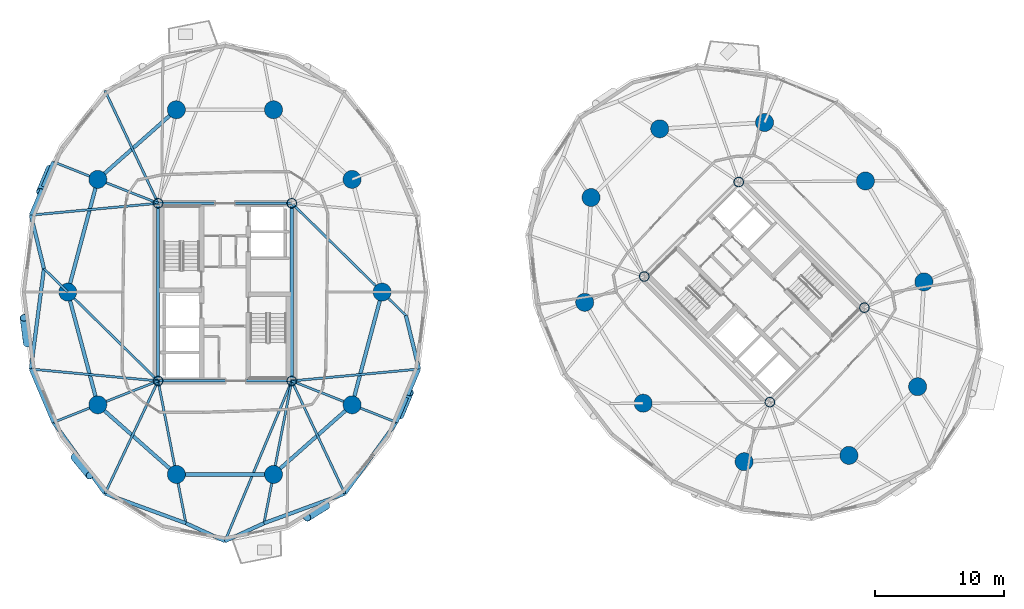
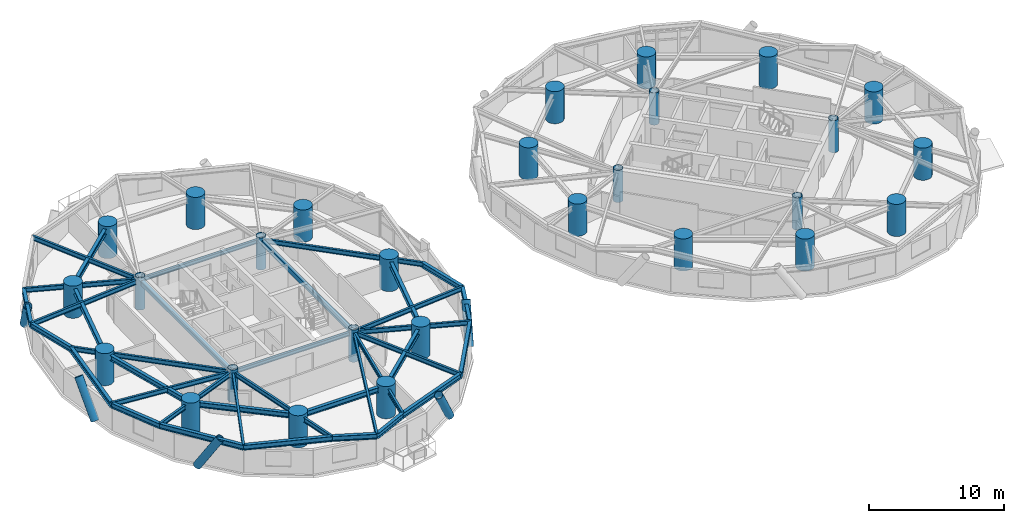
# One storey, part 1 of 17: 38 beams, 28 columns, 5 members.
"""IFC4 building model written with IfcOpenShell, lengths in metres."""

from ifc_helpers import new_model, si_unit, direction, frame, origin, origin_2d, place, context, subcontext, project, spatial, hollow_rectangle, circle, hollow_circle, i_section, extrude, material, material_profile, profile_set, type_object, element, save


model = new_model("IFC4")

# Units and contexts
model_context = context("Model", 3, precision=1e-05, world=origin(), true_north=direction((0.0, 1.0)))
body_context = subcontext(model_context, "Body", "Model", "MODEL_VIEW")
ifc_project = project(units=[si_unit("LENGTHUNIT", "METRE"), si_unit("AREAUNIT", "SQUARE_METRE"), si_unit("VOLUMEUNIT", "CUBIC_METRE"), si_unit("PLANEANGLEUNIT", "RADIAN"), si_unit("MASSUNIT", "GRAM", prefix="KILO")], contexts=[model_context])

# Site, building, storey
site_placement = place(None, origin())
site = spatial("IfcSite", under=ifc_project, at=site_placement, CompositionType="ELEMENT")
building_placement = place(site_placement, origin())
building = spatial("IfcBuilding", under=site, at=building_placement, Name="Cununo Teusaquillo Station Towers", CompositionType="ELEMENT")
storey_placement = place(building_placement, frame((0.0, 0.0, 70.14990234375)))
storey = spatial("IfcBuildingStorey", under=building, at=storey_placement, Name="L21", CompositionType="ELEMENT", Elevation=70.14990234375)

# Columns
ifc_material_1 = material(Name="Steel EN 10025-2 S355J2", Category="steel")
ifc_material_profile_1 = material_profile(ifc_material_1, hollow_circle(Radius=0.3798828125, WallThickness=0.031982421875, at=origin_2d()), Name="CHS 760x32")
ifc_profile_set_1 = profile_set([ifc_material_profile_1], Name="Steel EN 10025-2 S355J2")
column_type_1 = type_object("IfcColumnType", Name="COL-CORE-Z2", PredefinedType="COLUMN", material=ifc_profile_set_1)
for number, where, z_axis, x_axis, name in (
    (1, (11.324951171875, 17.6201171875, 0.0), (0.0, 0.0, 1.0), (1.0, 0.0, 0.0), "L21 Tower A Core Column 1"),
    (2, (11.324951171875, 31.3798828125, 0.0), (0.0, 0.0, 1.0), (1.0, 0.0, 0.0), "L21 Tower A Core Column 2"),
    (3, (21.675048828125, 17.6201171875, 0.0), (0.0, 0.0, 1.0), (1.0, 0.0, 0.0), "L21 Tower A Core Column 3"),
    (4, (21.675048828125, 31.3798828125, 0.0), (0.0, 0.0, 1.0), (1.0, 0.0, 0.0), "L21 Tower A Core Column 4"),
    (5, (58.70556640625, 15.975830078125, 0.0), (0.0, 0.0, 1.0), (0.707106781187, 0.707106781187, 0.0), "L21 Tower B Core Column 1"),
    (6, (48.975830078125, 25.70556640625, 0.0), (0.0, 0.0, 1.0), (0.707106781187, 0.707106781187, 0.0), "L21 Tower B Core Column 2"),
    (7, (66.024169921875, 23.29443359375, 0.0), (0.0, 0.0, 1.0), (0.707106781187, 0.707106781187, 0.0), "L21 Tower B Core Column 3"),
    (8, (56.29443359375, 33.024169921875, 0.0), (0.0, 0.0, 1.0), (0.707106781187, 0.707106781187, 0.0), "L21 Tower B Core Column 4"),
):
    element("IfcColumn", number, at=place(storey_placement, frame(where, z_axis=z_axis, x_axis=x_axis)), inside=storey, type_object=column_type_1, Name=name, PredefinedType="COLUMN", context=body_context, shape_type="SweptSolid", body=[
        extrude(hollow_circle(Radius=0.3798828125, WallThickness=0.031982421875, at=origin_2d()), origin(), (0.0, 0.0, 1.0), 2.91015625),
    ])
ifc_material_2 = material(Name="Concrete C60/75", Category="concrete")
ifc_material_profile_2 = material_profile(ifc_material_2, circle(Radius=0.699951171875, at=origin_2d()), Name="RC-CIRC-1400")
ifc_profile_set_2 = profile_set([ifc_material_profile_2], Name="Concrete C60/75")
column_type_2 = type_object("IfcColumnType", Name="COL-MEGA-Z2", PredefinedType="USERDEFINED", material=ifc_profile_set_2)
for number, where, z_axis, x_axis, name in (
    (9, (28.672119140625, 24.5, 0.0), (0.0, 0.0, 1.0), (1.0, 0.0, 0.0), "L21 Tower A Perimeter Column V00"),
    (10, (26.347412109375, 33.228515625, 0.0), (0.0, 0.0, 1.0), (1.0, 0.0, 0.0), "L21 Tower A Perimeter Column V02"),
    (11, (20.261474609375, 38.623291015625, 0.0), (0.0, 0.0, 1.0), (1.0, 0.0, 0.0), "L21 Tower A Perimeter Column V04"),
    (12, (12.738525390625, 38.623291015625, 0.0), (0.0, 0.0, 1.0), (1.0, 0.0, 0.0), "L21 Tower A Perimeter Column V06"),
    (13, (6.652587890625, 33.228515625, 0.0), (0.0, 0.0, 1.0), (1.0, 0.0, 0.0), "L21 Tower A Perimeter Column V08"),
    (14, (4.327880859375, 24.5, 0.0), (0.0, 0.0, 1.0), (1.0, 0.0, 0.0), "L21 Tower A Perimeter Column V10"),
    (15, (6.652587890625, 15.771484375, 0.0), (0.0, 0.0, 1.0), (1.0, 0.0, 0.0), "L21 Tower A Perimeter Column V12"),
    (16, (12.738525390625, 10.376708984375, 0.0), (0.0, 0.0, 1.0), (1.0, 0.0, 0.0), "L21 Tower A Perimeter Column V14"),
    (17, (20.261474609375, 10.376708984375, 0.0), (0.0, 0.0, 1.0), (1.0, 0.0, 0.0), "L21 Tower A Perimeter Column V16"),
    (18, (26.347412109375, 15.771484375, 0.0), (0.0, 0.0, 1.0), (1.0, 0.0, 0.0), "L21 Tower A Perimeter Column V18"),
    (19, (66.10693359375, 33.10693359375, 0.0), (0.0, 0.0, 1.0), (1.0, 0.0, 0.0), "L21 Tower B Perimeter Column V00"),
    (20, (58.291015625, 37.63525390625, 0.0), (0.0, 0.0, 1.0), (1.0, 0.0, 0.0), "L21 Tower B Perimeter Column V02"),
    (21, (50.173095703125, 37.146240234375, 0.0), (0.0, 0.0, 1.0), (1.0, 0.0, 0.0), "L21 Tower B Perimeter Column V04"),
    (22, (44.853759765625, 31.826904296875, 0.0), (0.0, 0.0, 1.0), (1.0, 0.0, 0.0), "L21 Tower B Perimeter Column V06"),
    (23, (44.36474609375, 23.708984375, 0.0), (0.0, 0.0, 1.0), (1.0, 0.0, 0.0), "L21 Tower B Perimeter Column V08"),
    (24, (48.89306640625, 15.89306640625, 0.0), (0.0, 0.0, 1.0), (1.0, 0.0, 0.0), "L21 Tower B Perimeter Column V10"),
    (25, (56.708984375, 11.36474609375, 0.0), (0.0, 0.0, 1.0), (1.0, 0.0, 0.0), "L21 Tower B Perimeter Column V12"),
    (26, (64.826904296875, 11.853759765625, 0.0), (0.0, 0.0, 1.0), (1.0, 0.0, 0.0), "L21 Tower B Perimeter Column V14"),
    (27, (70.146240234375, 17.173095703125, 0.0), (0.0, 0.0, 1.0), (1.0, 0.0, 0.0), "L21 Tower B Perimeter Column V16"),
    (28, (70.63525390625, 25.291015625, 0.0), (0.0, 0.0, 1.0), (1.0, 0.0, 0.0), "L21 Tower B Perimeter Column V18"),
):
    element("IfcColumn", number, at=place(storey_placement, frame(where, z_axis=z_axis, x_axis=x_axis)), inside=storey, type_object=column_type_2, Name=name, ObjectType="MEGA COLUMN", PredefinedType="USERDEFINED", context=body_context, shape_type="SweptSolid", body=[
        extrude(circle(Radius=0.699951171875, at=origin_2d()), origin(), (0.0, 0.0, 1.0), 2.91015625),
    ])

# Beams
ifc_material_3 = material(Name="Steel EN 10025-2 S355J2", Category="steel")
ifc_material_profile_3 = material_profile(ifc_material_3, hollow_rectangle(XDim=0.25, YDim=0.449951171875, WallThickness=0.01611328125, at=origin_2d()), Name="RHS 450x250x16")
ifc_profile_set_3 = profile_set([ifc_material_profile_3], Name="Steel EN 10025-2 S355J2")
beam_type_1 = type_object("IfcBeamType", Name="BM-COUP-1", PredefinedType="USERDEFINED", material=ifc_profile_set_3)
for number, where, z_axis, x_axis, name in (
    (29, (11.324951171875, 17.6201171875, 2.445068359375), (0.0, 1.0, 0.0), (-1.0, 0.0, 0.0), "L21 Tower A Core Beam 1"),
    (30, (21.675048828125, 17.6201171875, 2.445068359375), (0.0, 1.0, 0.0), (-1.0, 0.0, 0.0), "L21 Tower A Core Beam 2"),
):
    element("IfcBeam", number, at=place(storey_placement, frame(where, z_axis=z_axis, x_axis=x_axis)), inside=storey, type_object=beam_type_1, Name=name, ObjectType="COUPLING BEAM", PredefinedType="USERDEFINED", context=body_context, shape_type="SweptSolid", body=[
        extrude(hollow_rectangle(XDim=0.25, YDim=0.449951171875, WallThickness=0.01611328125, at=origin_2d()), origin(), (0.0, 0.0, 1.0), 13.759765625),
    ])
ifc_material_4 = material(Name="Steel ASTM A572 Grade 50", Category="steel")
ifc_material_profile_4 = material_profile(ifc_material_4, i_section(OverallWidth=0.180908203125, OverallDepth=0.4169921875, WebThickness=0.010986328125, FlangeThickness=0.018310546875, FilletRadius=0.012939453125, at=origin_2d()), Name="W16X57")
ifc_profile_set_4 = profile_set([ifc_material_profile_4], Name="Steel ASTM A572 Grade 50")
beam_type_2 = type_object("IfcBeamType", Name="BM-JOIST-1", PredefinedType="JOIST", material=ifc_profile_set_4)
beam_1_placement = place(storey_placement, frame((11.324951171875, 31.3798828125, 2.461669921875), z_axis=(-0.426319838016, 0.904572493344, 0.0), x_axis=(-0.904572493344, -0.426319838016, 0.0)))
element("IfcBeam", 31, at=beam_1_placement, inside=storey, type_object=beam_type_2, Name="L21 Tower A Radial Spandrel Joist V07", PredefinedType="JOIST", context=body_context, shape_type="SweptSolid", body=[
    extrude(i_section(OverallWidth=0.180908203125, OverallDepth=0.4169921875, WebThickness=0.010986328125, FlangeThickness=0.018310546875, FilletRadius=0.012939453125, at=origin_2d()), origin(), (0.0, 0.0, 1.0), 9.646728515625),
])
for number, where, z_axis, x_axis, name in (
    (32, (11.324951171875, 31.3798828125, 2.461669921875), (-0.995678537907, -0.09286683558, 0.0), (0.09286683558, -0.995678537907, 0.0), "L21 Tower A Radial Spandrel Joist V09"),
    (33, (11.324951171875, 17.6201171875, 2.461669921875), (-0.995678537907, 0.09286683558, 0.0), (-0.09286683558, -0.995678537907, 0.0), "L21 Tower A Radial Spandrel Joist V11"),
):
    element("IfcBeam", number, at=place(storey_placement, frame(where, z_axis=z_axis, x_axis=x_axis)), inside=storey, type_object=beam_type_2, Name=name, PredefinedType="JOIST", context=body_context, shape_type="SweptSolid", body=[
        extrude(i_section(OverallWidth=0.180908203125, OverallDepth=0.4169921875, WebThickness=0.010986328125, FlangeThickness=0.018310546875, FilletRadius=0.012939453125, at=origin_2d()), origin(), (0.0, 0.0, 1.0), 9.895263671875),
    ])
beam_2_placement = place(storey_placement, frame((11.324951171875, 17.6201171875, 2.461669921875), z_axis=(-0.426319838016, -0.904572493344, 0.0), x_axis=(0.904572493344, -0.426319838016, 0.0)))
element("IfcBeam", 34, at=beam_2_placement, inside=storey, type_object=beam_type_2, Name="L21 Tower A Radial Spandrel Joist V13", PredefinedType="JOIST", context=body_context, shape_type="SweptSolid", body=[
    extrude(i_section(OverallWidth=0.180908203125, OverallDepth=0.4169921875, WebThickness=0.010986328125, FlangeThickness=0.018310546875, FilletRadius=0.012939453125, at=origin_2d()), origin(), (0.0, 0.0, 1.0), 9.646728515625),
])
beam_3_placement = place(storey_placement, frame((21.675048828125, 17.6201171875, 2.461669921875), z_axis=(-0.38487837995, -0.922967297713, 0.0), x_axis=(0.922967297713, -0.38487837995, 0.0)))
element("IfcBeam", 35, at=beam_3_placement, inside=storey, type_object=beam_type_2, Name="L21 Tower A Radial Spandrel Joist V15", PredefinedType="JOIST", context=body_context, shape_type="SweptSolid", body=[
    extrude(i_section(OverallWidth=0.180908203125, OverallDepth=0.4169921875, WebThickness=0.010986328125, FlangeThickness=0.018310546875, FilletRadius=0.012939453125, at=origin_2d()), origin(), (0.0, 0.0, 1.0), 13.446044921875),
])
beam_4_placement = place(storey_placement, frame((21.675048828125, 17.6201171875, 2.461669921875), z_axis=(0.426319838016, -0.904572493344, 0.0), x_axis=(0.904572493344, 0.426319838016, 0.0)))
element("IfcBeam", 36, at=beam_4_placement, inside=storey, type_object=beam_type_2, Name="L21 Tower A Radial Spandrel Joist V17", PredefinedType="JOIST", context=body_context, shape_type="SweptSolid", body=[
    extrude(i_section(OverallWidth=0.180908203125, OverallDepth=0.4169921875, WebThickness=0.010986328125, FlangeThickness=0.018310546875, FilletRadius=0.012939453125, at=origin_2d()), origin(), (0.0, 0.0, 1.0), 9.646728515625),
])
beam_5_placement = place(storey_placement, frame((21.675048828125, 17.6201171875, 2.461669921875), z_axis=(0.995678537907, 0.09286683558, 0.0), x_axis=(-0.09286683558, 0.995678537907, 0.0)))
element("IfcBeam", 37, at=beam_5_placement, inside=storey, type_object=beam_type_2, Name="L21 Tower A Radial Spandrel Joist V19", PredefinedType="JOIST", context=body_context, shape_type="SweptSolid", body=[
    extrude(i_section(OverallWidth=0.180908203125, OverallDepth=0.4169921875, WebThickness=0.010986328125, FlangeThickness=0.018310546875, FilletRadius=0.012939453125, at=origin_2d()), origin(), (0.0, 0.0, 1.0), 9.895263671875),
])
ifc_material_5 = material(Name="Steel ASTM A572 Grade 50", Category="steel")
ifc_material_profile_5 = material_profile(ifc_material_5, i_section(OverallWidth=0.2041015625, OverallDepth=0.35009765625, WebThickness=0.008544921875, FlangeThickness=0.01513671875, FilletRadius=0.011962890625, at=origin_2d()), Name="W14X48")
ifc_profile_set_5 = profile_set([ifc_material_profile_5], Name="Steel ASTM A572 Grade 50")
beam_type_3 = type_object("IfcBeamType", Name="BM-LINTEL-1", PredefinedType="LINTEL", material=ifc_profile_set_5)
for number, where, z_axis, x_axis, name in (
    (38, (11.324951171875, 17.6201171875, 2.4951171875), (1.0, 0.0, 0.0), (0.0, 1.0, 0.0), "L21 Tower A Core Beam 3"),
    (39, (11.324951171875, 31.3798828125, 2.4951171875), (1.0, 0.0, 0.0), (0.0, 1.0, 0.0), "L21 Tower A Core Beam 4"),
):
    element("IfcBeam", number, at=place(storey_placement, frame(where, z_axis=z_axis, x_axis=x_axis)), inside=storey, type_object=beam_type_3, Name=name, PredefinedType="LINTEL", context=body_context, shape_type="SweptSolid", body=[
        extrude(i_section(OverallWidth=0.2041015625, OverallDepth=0.35009765625, WebThickness=0.008544921875, FlangeThickness=0.01513671875, FilletRadius=0.011962890625, at=origin_2d()), origin(), (0.0, 0.0, 1.0), 10.35009765625),
    ])
ifc_material_6 = material(Name="Steel ASTM A572 Grade 50", Category="steel")
ifc_material_profile_6 = material_profile(ifc_material_6, i_section(OverallWidth=0.180908203125, OverallDepth=0.4169921875, WebThickness=0.010986328125, FlangeThickness=0.018310546875, FilletRadius=0.012939453125, at=origin_2d()), Name="W16X57")
ifc_profile_set_6 = profile_set([ifc_material_profile_6], Name="Steel ASTM A572 Grade 50")
beam_type_4 = type_object("IfcBeamType", Name="BM-RAD-G2", PredefinedType="BEAM", material=ifc_profile_set_6)
beam_6_placement = place(storey_placement, frame((21.675048828125, 31.3798828125, 2.461669921875), z_axis=(0.713047137857, -0.701116095375, 0.0), x_axis=(0.701116095375, 0.713047137857, 0.0)))
element("IfcBeam", 40, at=beam_6_placement, inside=storey, type_object=beam_type_4, Name="L21 Tower A Continuous Overhanging Radial Girder 01", PredefinedType="BEAM", context=body_context, shape_type="SweptSolid", body=[
    extrude(i_section(OverallWidth=0.180908203125, OverallDepth=0.4169921875, WebThickness=0.010986328125, FlangeThickness=0.018310546875, FilletRadius=0.012939453125, at=origin_2d()), origin(), (0.0, 0.0, 1.0), 12.400390625),
])
beam_7_placement = place(storey_placement, frame((11.324951171875, 31.3798828125, 2.461669921875), z_axis=(-0.929863123823, 0.367905654963, 0.0), x_axis=(-0.367905654963, -0.929863123823, 0.0)))
element("IfcBeam", 41, at=beam_7_placement, inside=storey, type_object=beam_type_4, Name="L21 Tower A Continuous Overhanging Radial Girder 05", PredefinedType="BEAM", context=body_context, shape_type="SweptSolid", body=[
    extrude(i_section(OverallWidth=0.180908203125, OverallDepth=0.4169921875, WebThickness=0.010986328125, FlangeThickness=0.018310546875, FilletRadius=0.012939453125, at=origin_2d()), origin(), (0.0, 0.0, 1.0), 8.715087890625),
])
beam_8_placement = place(storey_placement, frame((11.324951171875, 17.6201171875, 2.461669921875), z_axis=(-0.713052701438, 0.701110437073, 0.0), x_axis=(-0.701110437073, -0.713052701438, 0.0)))
element("IfcBeam", 42, at=beam_8_placement, inside=storey, type_object=beam_type_4, Name="L21 Tower A Radial Girder 06A", PredefinedType="BEAM", context=body_context, shape_type="SweptSolid", body=[
    extrude(i_section(OverallWidth=0.180908203125, OverallDepth=0.4169921875, WebThickness=0.010986328125, FlangeThickness=0.018310546875, FilletRadius=0.012939453125, at=origin_2d()), origin(), (0.0, 0.0, 1.0), 9.812744140625),
])
beam_9_placement = place(storey_placement, frame((4.327880859375, 24.5, 2.461669921875), z_axis=(-0.7130260383, 0.701137553342, 0.0), x_axis=(-0.701137553342, -0.7130260383, 0.0)))
element("IfcBeam", 43, at=beam_9_placement, inside=storey, type_object=beam_type_4, Name="L21 Tower A Perimeter Overhang Girder 06B", PredefinedType="BEAM", context=body_context, shape_type="SweptSolid", body=[
    extrude(i_section(OverallWidth=0.180908203125, OverallDepth=0.4169921875, WebThickness=0.010986328125, FlangeThickness=0.018310546875, FilletRadius=0.012939453125, at=origin_2d()), origin(), (0.0, 0.0, 1.0), 2.58740234375),
])
beam_10_placement = place(storey_placement, frame((11.324951171875, 17.6201171875, 2.461669921875), z_axis=(-0.929863123823, -0.367905654963, 0.0), x_axis=(0.367905654963, -0.929863123823, 0.0)))
element("IfcBeam", 44, at=beam_10_placement, inside=storey, type_object=beam_type_4, Name="L21 Tower A Continuous Overhanging Radial Girder 07", PredefinedType="BEAM", context=body_context, shape_type="SweptSolid", body=[
    extrude(i_section(OverallWidth=0.180908203125, OverallDepth=0.4169921875, WebThickness=0.010986328125, FlangeThickness=0.018310546875, FilletRadius=0.012939453125, at=origin_2d()), origin(), (0.0, 0.0, 1.0), 8.715087890625),
])
for number, where, z_axis, x_axis, name in (
    (45, (11.324951171875, 17.6201171875, 2.461669921875), (0.191552755713, -0.981482318628, 0.0), (0.981482318628, 0.191552755713, 0.0), "L21 Tower A Continuous Overhanging Radial Girder 08"),
    (46, (21.675048828125, 17.6201171875, 2.461669921875), (-0.191552755713, -0.981482318628, 0.0), (0.981482318628, -0.191552755713, 0.0), "L21 Tower A Continuous Overhanging Radial Girder 09"),
):
    element("IfcBeam", number, at=place(storey_placement, frame(where, z_axis=z_axis, x_axis=x_axis)), inside=storey, type_object=beam_type_4, Name=name, PredefinedType="BEAM", context=body_context, shape_type="SweptSolid", body=[
        extrude(i_section(OverallWidth=0.180908203125, OverallDepth=0.4169921875, WebThickness=0.010986328125, FlangeThickness=0.018310546875, FilletRadius=0.012939453125, at=origin_2d()), origin(), (0.0, 0.0, 1.0), 11.22998046875),
    ])
beam_11_placement = place(storey_placement, frame((21.675048828125, 17.6201171875, 2.461669921875), z_axis=(0.929863123823, -0.367905654963, 0.0), x_axis=(0.367905654963, 0.929863123823, 0.0)))
element("IfcBeam", 47, at=beam_11_placement, inside=storey, type_object=beam_type_4, Name="L21 Tower A Continuous Overhanging Radial Girder 10", PredefinedType="BEAM", context=body_context, shape_type="SweptSolid", body=[
    extrude(i_section(OverallWidth=0.180908203125, OverallDepth=0.4169921875, WebThickness=0.010986328125, FlangeThickness=0.018310546875, FilletRadius=0.012939453125, at=origin_2d()), origin(), (0.0, 0.0, 1.0), 8.715087890625),
])
ifc_material_7 = material(Name="Steel ASTM A572 Grade 50", Category="steel")
ifc_material_profile_7 = material_profile(ifc_material_7, i_section(OverallWidth=0.280029296875, OverallDepth=0.462890625, WebThickness=0.0107421875, FlangeThickness=0.017333984375, FilletRadius=0.013916015625, at=origin_2d()), Name="W18X76")
ifc_profile_set_7 = profile_set([ifc_material_profile_7], Name="Steel ASTM A572 Grade 50")
beam_type_5 = type_object("IfcBeamType", Name="BM-RING-Z2", PredefinedType="SPANDREL", material=ifc_profile_set_7)
beam_12_placement = place(storey_placement, frame((12.738525390625, 38.623291015625, 2.4384765625), z_axis=(-0.74832120039, -0.66333655187, 0.0), x_axis=(0.66333655187, -0.74832120039, 0.0)))
element("IfcBeam", 48, at=beam_12_placement, inside=storey, type_object=beam_type_5, Name="L21 Tower A Structural Column Ring Girder 04", PredefinedType="SPANDREL", context=body_context, shape_type="SweptSolid", body=[
    extrude(i_section(OverallWidth=0.280029296875, OverallDepth=0.462890625, WebThickness=0.0107421875, FlangeThickness=0.017333984375, FilletRadius=0.013916015625, at=origin_2d()), origin(), (0.0, 0.0, 1.0), 8.1328125),
])
for number, where, z_axis, x_axis, name in (
    (49, (6.652587890625, 33.228515625, 2.4384765625), (-0.257363196347, -0.966314744359, 0.0), (0.966314744359, -0.257363196347, 0.0), "L21 Tower A Structural Column Ring Girder 05"),
    (50, (4.327880859375, 24.5, 2.4384765625), (0.257363196347, -0.966314744359, 0.0), (0.966314744359, 0.257363196347, 0.0), "L21 Tower A Structural Column Ring Girder 06"),
):
    element("IfcBeam", number, at=place(storey_placement, frame(where, z_axis=z_axis, x_axis=x_axis)), inside=storey, type_object=beam_type_5, Name=name, PredefinedType="SPANDREL", context=body_context, shape_type="SweptSolid", body=[
        extrude(i_section(OverallWidth=0.280029296875, OverallDepth=0.462890625, WebThickness=0.0107421875, FlangeThickness=0.017333984375, FilletRadius=0.013916015625, at=origin_2d()), origin(), (0.0, 0.0, 1.0), 9.03271484375),
    ])
beam_13_placement = place(storey_placement, frame((6.652587890625, 15.771484375, 2.4384765625), z_axis=(0.74832120039, -0.66333655187, 0.0), x_axis=(0.66333655187, 0.74832120039, 0.0)))
element("IfcBeam", 51, at=beam_13_placement, inside=storey, type_object=beam_type_5, Name="L21 Tower A Structural Column Ring Girder 07", PredefinedType="SPANDREL", context=body_context, shape_type="SweptSolid", body=[
    extrude(i_section(OverallWidth=0.280029296875, OverallDepth=0.462890625, WebThickness=0.0107421875, FlangeThickness=0.017333984375, FilletRadius=0.013916015625, at=origin_2d()), origin(), (0.0, 0.0, 1.0), 8.1328125),
])
beam_14_placement = place(storey_placement, frame((12.738525390625, 10.376708984375, 2.4384765625), z_axis=(1.0, 0.0, 0.0), x_axis=(0.0, 1.0, 0.0)))
element("IfcBeam", 52, at=beam_14_placement, inside=storey, type_object=beam_type_5, Name="L21 Tower A Structural Column Ring Girder 08", PredefinedType="SPANDREL", context=body_context, shape_type="SweptSolid", body=[
    extrude(i_section(OverallWidth=0.280029296875, OverallDepth=0.462890625, WebThickness=0.0107421875, FlangeThickness=0.017333984375, FilletRadius=0.013916015625, at=origin_2d()), origin(), (0.0, 0.0, 1.0), 7.52294921875),
])
beam_15_placement = place(storey_placement, frame((20.261474609375, 10.376708984375, 2.4384765625), z_axis=(0.74832120039, 0.66333655187, 0.0), x_axis=(-0.66333655187, 0.74832120039, 0.0)))
element("IfcBeam", 53, at=beam_15_placement, inside=storey, type_object=beam_type_5, Name="L21 Tower A Structural Column Ring Girder 09", PredefinedType="SPANDREL", context=body_context, shape_type="SweptSolid", body=[
    extrude(i_section(OverallWidth=0.280029296875, OverallDepth=0.462890625, WebThickness=0.0107421875, FlangeThickness=0.017333984375, FilletRadius=0.013916015625, at=origin_2d()), origin(), (0.0, 0.0, 1.0), 8.1328125),
])
beam_16_placement = place(storey_placement, frame((26.347412109375, 15.771484375, 2.4384765625), z_axis=(0.257363196347, 0.966314744359, 0.0), x_axis=(-0.966314744359, 0.257363196347, 0.0)))
element("IfcBeam", 54, at=beam_16_placement, inside=storey, type_object=beam_type_5, Name="L21 Tower A Structural Column Ring Girder 10", PredefinedType="SPANDREL", context=body_context, shape_type="SweptSolid", body=[
    extrude(i_section(OverallWidth=0.280029296875, OverallDepth=0.462890625, WebThickness=0.0107421875, FlangeThickness=0.017333984375, FilletRadius=0.013916015625, at=origin_2d()), origin(), (0.0, 0.0, 1.0), 9.03271484375),
])
beam_17_placement = place(storey_placement, frame((3.22119140625, 34.586181640625, 2.4384765625), z_axis=(-0.390299356049, -0.920688010494, 0.0), x_axis=(0.920688010494, -0.390299356049, 0.0)))
element("IfcBeam", 55, at=beam_17_placement, inside=storey, type_object=beam_type_5, Name="L21 Tower A Spandrel Ring Beam 09", PredefinedType="SPANDREL", context=body_context, shape_type="SweptSolid", body=[
    extrude(i_section(OverallWidth=0.280029296875, OverallDepth=0.462890625, WebThickness=0.0107421875, FlangeThickness=0.017333984375, FilletRadius=0.013916015625, at=origin_2d()), origin(), (0.0, 0.0, 1.0), 4.480712890625),
])
beam_18_placement = place(storey_placement, frame((1.472412109375, 30.4609375, 2.4384765625), z_axis=(0.236757334703, -0.971568816124, 0.0), x_axis=(0.971568816124, 0.236757334703, 0.0)))
element("IfcBeam", 56, at=beam_18_placement, inside=storey, type_object=beam_type_5, Name="L21 Tower A Spandrel Ring Beam 10", PredefinedType="SPANDREL", context=body_context, shape_type="SweptSolid", body=[
    extrude(i_section(OverallWidth=0.280029296875, OverallDepth=0.462890625, WebThickness=0.0107421875, FlangeThickness=0.017333984375, FilletRadius=0.013916015625, at=origin_2d()), origin(), (0.0, 0.0, 1.0), 4.26806640625),
])
beam_19_placement = place(storey_placement, frame((2.48291015625, 26.314208984375, 2.4384765625), z_axis=(-0.12888124113, -0.991660035337, 0.0), x_axis=(0.991660035337, -0.12888124113, 0.0)))
element("IfcBeam", 57, at=beam_19_placement, inside=storey, type_object=beam_type_5, Name="L21 Tower A Spandrel Ring Beam 11", PredefinedType="SPANDREL", context=body_context, shape_type="SweptSolid", body=[
    extrude(i_section(OverallWidth=0.280029296875, OverallDepth=0.462890625, WebThickness=0.0107421875, FlangeThickness=0.017333984375, FilletRadius=0.013916015625, at=origin_2d()), origin(), (0.0, 0.0, 1.0), 7.840576171875),
])
beam_20_placement = place(storey_placement, frame((1.472412109375, 18.5390625, 2.4384765625), z_axis=(0.390299356049, -0.920688010494, 0.0), x_axis=(0.920688010494, 0.390299356049, 0.0)))
element("IfcBeam", 58, at=beam_20_placement, inside=storey, type_object=beam_type_5, Name="L21 Tower A Spandrel Ring Beam 12", PredefinedType="SPANDREL", context=body_context, shape_type="SweptSolid", body=[
    extrude(i_section(OverallWidth=0.280029296875, OverallDepth=0.462890625, WebThickness=0.0107421875, FlangeThickness=0.017333984375, FilletRadius=0.013916015625, at=origin_2d()), origin(), (0.0, 0.0, 1.0), 4.480712890625),
])
beam_21_placement = place(storey_placement, frame((3.22119140625, 14.413818359375, 2.4384765625), z_axis=(0.58594455724, -0.810351143543, 0.0), x_axis=(0.810351143543, 0.58594455724, 0.0)))
element("IfcBeam", 59, at=beam_21_placement, inside=storey, type_object=beam_type_5, Name="L21 Tower A Spandrel Ring Beam 13", PredefinedType="SPANDREL", context=body_context, shape_type="SweptSolid", body=[
    extrude(i_section(OverallWidth=0.280029296875, OverallDepth=0.462890625, WebThickness=0.0107421875, FlangeThickness=0.017333984375, FilletRadius=0.013916015625, at=origin_2d()), origin(), (0.0, 0.0, 1.0), 6.8115234375),
])
beam_22_placement = place(storey_placement, frame((7.21240234375, 8.89404296875, 2.4384765625), z_axis=(0.938914161016, -0.34415141761, 0.0), x_axis=(0.34415141761, 0.938914161016, 0.0)))
element("IfcBeam", 60, at=beam_22_placement, inside=storey, type_object=beam_type_5, Name="L21 Tower A Spandrel Ring Beam 14", PredefinedType="SPANDREL", context=body_context, shape_type="SweptSolid", body=[
    extrude(i_section(OverallWidth=0.280029296875, OverallDepth=0.462890625, WebThickness=0.0107421875, FlangeThickness=0.017333984375, FilletRadius=0.013916015625, at=origin_2d()), origin(), (0.0, 0.0, 1.0), 6.671142578125),
])
for number, where, z_axis, x_axis, name in (
    (61, (13.47607421875, 6.59814453125, 2.4384765625), (0.908812215281, -0.417205413862, 0.0), (0.417205413862, 0.908812215281, 0.0), "L21 Tower A Spandrel Ring Beam 15"),
    (62, (16.5, 5.2099609375, 2.4384765625), (0.908812215281, 0.417205413862, 0.0), (-0.417205413862, 0.908812215281, 0.0), "L21 Tower A Spandrel Ring Beam 16"),
):
    element("IfcBeam", number, at=place(storey_placement, frame(where, z_axis=z_axis, x_axis=x_axis)), inside=storey, type_object=beam_type_5, Name=name, PredefinedType="SPANDREL", context=body_context, shape_type="SweptSolid", body=[
        extrude(i_section(OverallWidth=0.280029296875, OverallDepth=0.462890625, WebThickness=0.0107421875, FlangeThickness=0.017333984375, FilletRadius=0.013916015625, at=origin_2d()), origin(), (0.0, 0.0, 1.0), 3.327392578125),
    ])
beam_23_placement = place(storey_placement, frame((19.52392578125, 6.59814453125, 2.4384765625), z_axis=(0.938914161016, 0.34415141761, 0.0), x_axis=(-0.34415141761, 0.938914161016, 0.0)))
element("IfcBeam", 63, at=beam_23_placement, inside=storey, type_object=beam_type_5, Name="L21 Tower A Spandrel Ring Beam 17", PredefinedType="SPANDREL", context=body_context, shape_type="SweptSolid", body=[
    extrude(i_section(OverallWidth=0.280029296875, OverallDepth=0.462890625, WebThickness=0.0107421875, FlangeThickness=0.017333984375, FilletRadius=0.013916015625, at=origin_2d()), origin(), (0.0, 0.0, 1.0), 6.671142578125),
])
beam_24_placement = place(storey_placement, frame((25.78759765625, 8.89404296875, 2.4384765625), z_axis=(0.58594455724, 0.810351143543, 0.0), x_axis=(-0.810351143543, 0.58594455724, 0.0)))
element("IfcBeam", 64, at=beam_24_placement, inside=storey, type_object=beam_type_5, Name="L21 Tower A Spandrel Ring Beam 18", PredefinedType="SPANDREL", context=body_context, shape_type="SweptSolid", body=[
    extrude(i_section(OverallWidth=0.280029296875, OverallDepth=0.462890625, WebThickness=0.0107421875, FlangeThickness=0.017333984375, FilletRadius=0.013916015625, at=origin_2d()), origin(), (0.0, 0.0, 1.0), 6.8115234375),
])
beam_25_placement = place(storey_placement, frame((29.77880859375, 14.413818359375, 2.4384765625), z_axis=(0.390299356049, 0.920688010494, 0.0), x_axis=(-0.920688010494, 0.390299356049, 0.0)))
element("IfcBeam", 65, at=beam_25_placement, inside=storey, type_object=beam_type_5, Name="L21 Tower A Spandrel Ring Beam 19", PredefinedType="SPANDREL", context=body_context, shape_type="SweptSolid", body=[
    extrude(i_section(OverallWidth=0.280029296875, OverallDepth=0.462890625, WebThickness=0.0107421875, FlangeThickness=0.017333984375, FilletRadius=0.013916015625, at=origin_2d()), origin(), (0.0, 0.0, 1.0), 4.480712890625),
])
beam_26_placement = place(storey_placement, frame((31.527587890625, 18.5390625, 2.4384765625), z_axis=(-0.236757334703, 0.971568816124, 0.0), x_axis=(-0.971568816124, -0.236757334703, 0.0)))
element("IfcBeam", 66, at=beam_26_placement, inside=storey, type_object=beam_type_5, Name="L21 Tower A Spandrel Ring Beam 20", PredefinedType="SPANDREL", context=body_context, shape_type="SweptSolid", body=[
    extrude(i_section(OverallWidth=0.280029296875, OverallDepth=0.462890625, WebThickness=0.0107421875, FlangeThickness=0.017333984375, FilletRadius=0.013916015625, at=origin_2d()), origin(), (0.0, 0.0, 1.0), 4.26806640625),
])

# Members
ifc_material_8 = material(Name="Steel EN 10025-2 S355J2", Category="steel")
ifc_material_profile_8 = material_profile(ifc_material_8, hollow_circle(Radius=0.330078125, WallThickness=0.02490234375, at=origin_2d()), Name="CHS 660x25")
ifc_profile_set_8 = profile_set([ifc_material_profile_8], Name="Steel EN 10025-2 S355J2")
member_type = type_object("IfcMemberType", Name="MBR-DIAG-Z2", PredefinedType="BRACE", material=ifc_profile_set_8)
member_1_placement = place(storey_placement, frame((2.968505859375, 34.0458984375, -0.139892578125), z_axis=(-0.213813667787, -0.512343325357, 0.831737958993), x_axis=(0.922861086318, -0.385132983993, 0.0)))
element("IfcMember", 67, at=member_1_placement, inside=storey, type_object=member_type, Name="L21 Tower A Folded-Zigzag Diagrid Tube C08", PredefinedType="BRACE", context=body_context, shape_type="SweptSolid", body=[
    extrude(hollow_circle(Radius=0.330078125, WallThickness=0.02490234375, at=origin_2d()), origin(), (0.0, 0.0, 1.0), 3.49853515625),
])
member_2_placement = place(storey_placement, frame((1.214599609375, 20.526123046875, -0.139892578125), z_axis=(-0.072974421894, 0.562372959635, 0.82365732439), x_axis=(-0.991685812096, -0.128682749763, 0.0)))
element("IfcMember", 68, at=member_2_placement, inside=storey, type_object=member_type, Name="L21 Tower A Folded-Zigzag Diagrid Tube C10", PredefinedType="BRACE", context=body_context, shape_type="SweptSolid", body=[
    extrude(hollow_circle(Radius=0.330078125, WallThickness=0.02490234375, at=origin_2d()), origin(), (0.0, 0.0, 1.0), 3.532958984375),
])
member_3_placement = place(storey_placement, frame((4.8818359375, 11.739013671875, -0.139892578125), z_axis=(0.338530760711, -0.4132160511, 0.845369398054), x_axis=(0.773548952929, 0.633736552065, 0.0)))
element("IfcMember", 69, at=member_3_placement, inside=storey, type_object=member_type, Name="L21 Tower A Folded-Zigzag Diagrid Tube C12", PredefinedType="BRACE", context=body_context, shape_type="SweptSolid", body=[
    extrude(hollow_circle(Radius=0.330078125, WallThickness=0.02490234375, at=origin_2d()), origin(), (0.0, 0.0, 1.0), 3.442138671875),
])
member_4_placement = place(storey_placement, frame((24.3193359375, 7.980712890625, -0.139892578125), z_axis=(-0.433768032271, -0.269824776975, 0.859674289432), x_axis=(0.528195574716, -0.849122744278, 0.0)))
element("IfcMember", 70, at=member_4_placement, inside=storey, type_object=member_type, Name="L21 Tower A Folded-Zigzag Diagrid Tube C16", PredefinedType="BRACE", context=body_context, shape_type="SweptSolid", body=[
    extrude(hollow_circle(Radius=0.330078125, WallThickness=0.02490234375, at=origin_2d()), origin(), (0.0, 0.0, 1.0), 3.385009765625),
])
member_5_placement = place(storey_placement, frame((30.031494140625, 14.9541015625, -0.139892578125), z_axis=(0.213813667787, 0.512343325357, 0.831737958993), x_axis=(-0.922861086318, 0.385132983993, 0.0)))
element("IfcMember", 71, at=member_5_placement, inside=storey, type_object=member_type, Name="L21 Tower A Folded-Zigzag Diagrid Tube C18", PredefinedType="BRACE", context=body_context, shape_type="SweptSolid", body=[
    extrude(hollow_circle(Radius=0.330078125, WallThickness=0.02490234375, at=origin_2d()), origin(), (0.0, 0.0, 1.0), 3.49853515625),
])

save(model, "model.ifc")
